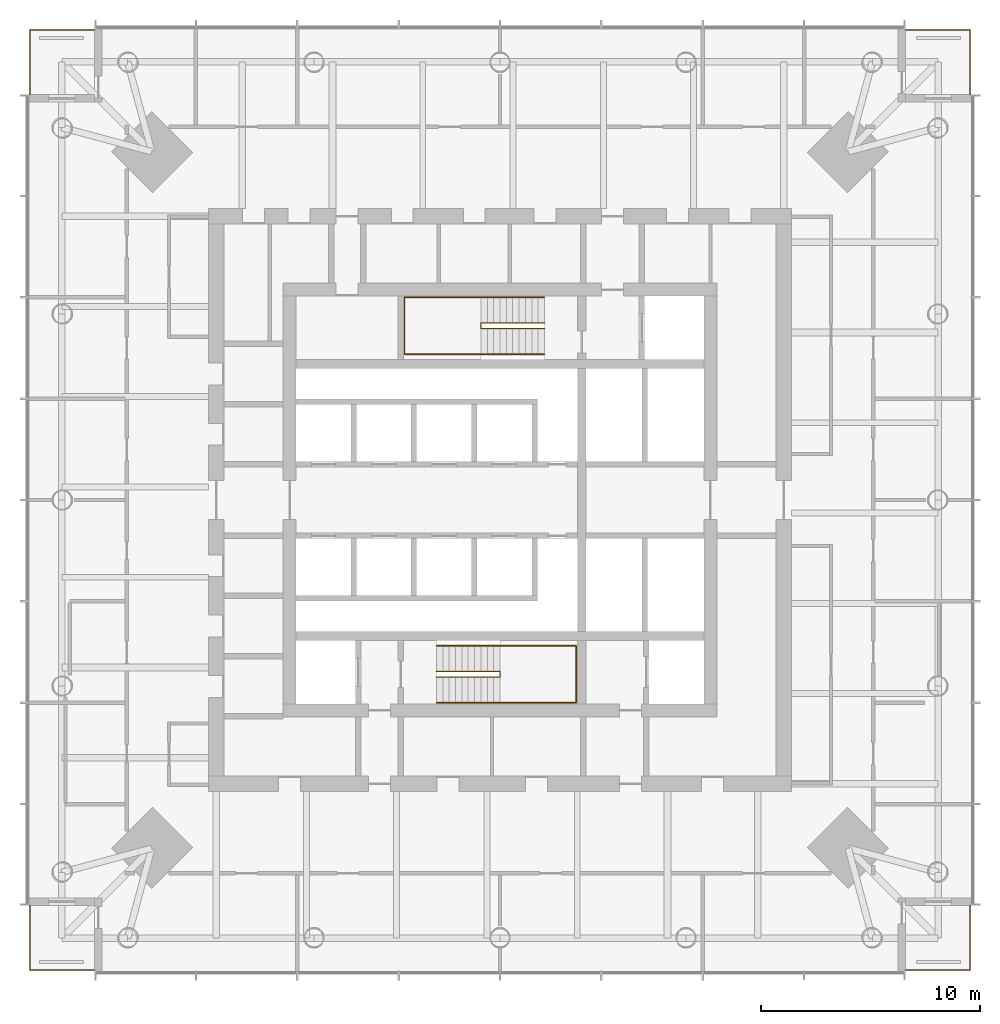
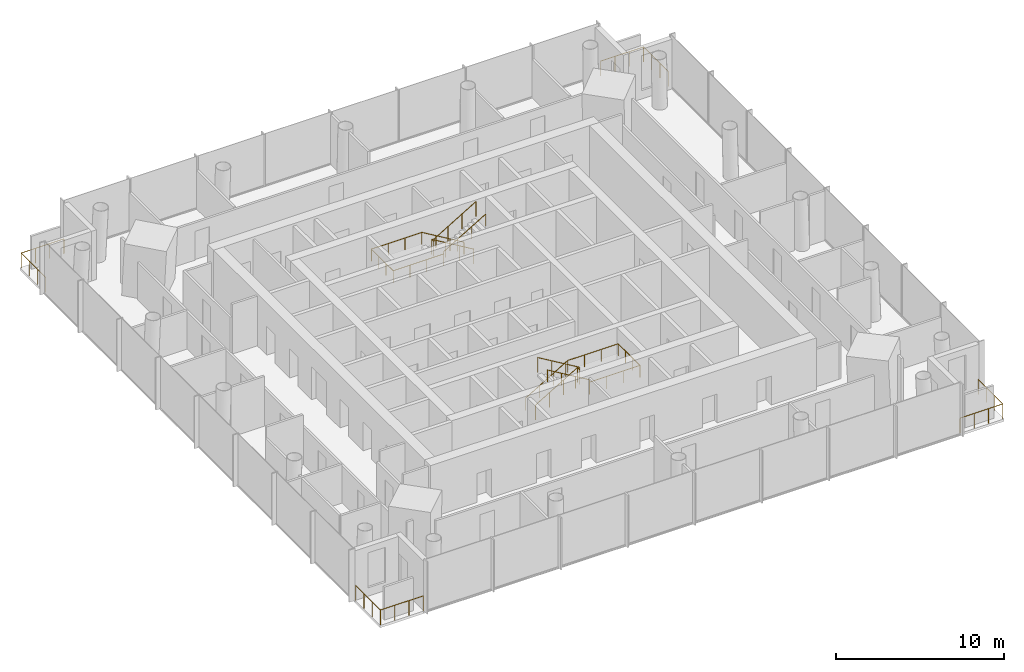
# One storey, part 9 of 9: 8 railings.
"""IFC4 building model written with IfcOpenShell, lengths in metres."""

from ifc_helpers import new_model, si_unit, direction, frame, origin, origin_2d, place, context, subcontext, project, spatial, circle, extrude, material, type_object, element, save


model = new_model("IFC4")

# Units and contexts
model_context = context("Model", 3, precision=1e-05, world=origin(), true_north=direction((0.0, 1.0)))
body_context = subcontext(model_context, "Body", "Model", "MODEL_VIEW")
ifc_project = project(units=[si_unit("LENGTHUNIT", "METRE"), si_unit("AREAUNIT", "SQUARE_METRE"), si_unit("VOLUMEUNIT", "CUBIC_METRE"), si_unit("PLANEANGLEUNIT", "RADIAN"), si_unit("MASSUNIT", "GRAM", prefix="KILO")], contexts=[model_context])

# Site, building, storey
site_placement = place(None, origin())
site = spatial("IfcSite", under=ifc_project, at=site_placement, CompositionType="ELEMENT")
building_placement = place(site_placement, origin())
building = spatial("IfcBuilding", under=site, at=building_placement, Name="Ostroluk Exchange", CompositionType="ELEMENT")
storey_placement = place(building_placement, frame((0.0, 0.0, 146.39990234375)))
storey = spatial("IfcBuildingStorey", under=building, at=storey_placement, Name="L37", CompositionType="ELEMENT", Elevation=146.39990234375)

# Railings
ifc_material_1 = material(Name="Stainless steel", Category="steel")
railing_type_1 = type_object("IfcRailingType", Name="Guard 1100 stainless steel", PredefinedType="GUARDRAIL", material=ifc_material_1)
railing_1_placement = place(storey_placement, frame((63.5, 24.550048828125, 0.0)))
element("IfcRailing", 1, at=railing_1_placement, inside=storey, type_object=railing_type_1, Name="Office tower SE balcony guard L37", PredefinedType="GUARDRAIL", context=body_context, shape_type="SweptSolid", body=[
    extrude(circle(Radius=0.02392578125, at=origin_2d()), frame((0.0, 0.0, 1.076171875), z_axis=(1.0, 0.0, 0.0), x_axis=(0.0, 1.0, 0.0)), (0.0, 0.0, 1.0), 2.949951171875),
    extrude(circle(Radius=0.02392578125, at=origin_2d()), frame((2.949951171875, 0.0, 1.076171875), z_axis=(0.0, 1.0, 0.0), x_axis=(-1.0, 0.0, 0.0)), (0.0, 0.0, 1.0), 2.949951171875),
    extrude(circle(Radius=0.02099609375, at=origin_2d()), origin(), (0.0, 0.0, 1.0), 1.052001953125),
    extrude(circle(Radius=0.02099609375, at=origin_2d()), frame((0.9833984375, 0.0, 0.0)), (0.0, 0.0, 1.0), 1.052001953125),
    extrude(circle(Radius=0.02099609375, at=origin_2d()), frame((1.966552734375, 0.0, 0.0)), (0.0, 0.0, 1.0), 1.052001953125),
    extrude(circle(Radius=0.02099609375, at=origin_2d()), frame((2.949951171875, 0.0, 0.0)), (0.0, 0.0, 1.0), 1.052001953125),
    extrude(circle(Radius=0.02099609375, at=origin_2d()), frame((2.949951171875, 0.9833984375, 0.0)), (0.0, 0.0, 1.0), 1.052001953125),
    extrude(circle(Radius=0.02099609375, at=origin_2d()), frame((2.949951171875, 1.966552734375, 0.0)), (0.0, 0.0, 1.0), 1.052001953125),
    extrude(circle(Radius=0.02099609375, at=origin_2d()), frame((2.949951171875, 2.949951171875, 0.0)), (0.0, 0.0, 1.0), 1.052001953125),
])
railing_2_placement = place(storey_placement, frame((63.5, 67.449951171875, 0.0)))
element("IfcRailing", 2, at=railing_2_placement, inside=storey, type_object=railing_type_1, Name="Office tower NE balcony guard L37", PredefinedType="GUARDRAIL", context=body_context, shape_type="SweptSolid", body=[
    extrude(circle(Radius=0.02392578125, at=origin_2d()), frame((0.0, 0.0, 1.076171875), z_axis=(1.0, 0.0, 0.0), x_axis=(0.0, 1.0, 0.0)), (0.0, 0.0, 1.0), 2.949951171875),
    extrude(circle(Radius=0.02392578125, at=origin_2d()), frame((2.949951171875, 0.0, 1.076171875), z_axis=(0.0, -1.0, 0.0), x_axis=(1.0, 0.0, 0.0)), (0.0, 0.0, 1.0), 2.949951171875),
    extrude(circle(Radius=0.02099609375, at=origin_2d()), origin(), (0.0, 0.0, 1.0), 1.052001953125),
    extrude(circle(Radius=0.02099609375, at=origin_2d()), frame((0.9833984375, 0.0, 0.0)), (0.0, 0.0, 1.0), 1.052001953125),
    extrude(circle(Radius=0.02099609375, at=origin_2d()), frame((1.966552734375, 0.0, 0.0)), (0.0, 0.0, 1.0), 1.052001953125),
    extrude(circle(Radius=0.02099609375, at=origin_2d()), frame((2.949951171875, 0.0, 0.0)), (0.0, 0.0, 1.0), 1.052001953125),
    extrude(circle(Radius=0.02099609375, at=origin_2d()), frame((2.949951171875, -0.9833984375, 0.0)), (0.0, 0.0, 1.0), 1.052001953125),
    extrude(circle(Radius=0.02099609375, at=origin_2d()), frame((2.949951171875, -1.966552734375, 0.0)), (0.0, 0.0, 1.0), 1.052001953125),
    extrude(circle(Radius=0.02099609375, at=origin_2d()), frame((2.949951171875, -2.949951171875, 0.0)), (0.0, 0.0, 1.0), 1.052001953125),
])
railing_3_placement = place(storey_placement, frame((26.5, 67.449951171875, 0.0)))
element("IfcRailing", 3, at=railing_3_placement, inside=storey, type_object=railing_type_1, Name="Office tower NW balcony guard L37", PredefinedType="GUARDRAIL", context=body_context, shape_type="SweptSolid", body=[
    extrude(circle(Radius=0.02392578125, at=origin_2d()), frame((0.0, 0.0, 1.076171875), z_axis=(-1.0, 0.0, 0.0), x_axis=(0.0, -1.0, 0.0)), (0.0, 0.0, 1.0), 2.949951171875),
    extrude(circle(Radius=0.02392578125, at=origin_2d()), frame((-2.949951171875, 0.0, 1.076171875), z_axis=(0.0, -1.0, 0.0), x_axis=(1.0, 0.0, 0.0)), (0.0, 0.0, 1.0), 2.949951171875),
    extrude(circle(Radius=0.02099609375, at=origin_2d()), origin(), (0.0, 0.0, 1.0), 1.052001953125),
    extrude(circle(Radius=0.02099609375, at=origin_2d()), frame((-0.9833984375, 0.0, 0.0)), (0.0, 0.0, 1.0), 1.052001953125),
    extrude(circle(Radius=0.02099609375, at=origin_2d()), frame((-1.966552734375, 0.0, 0.0)), (0.0, 0.0, 1.0), 1.052001953125),
    extrude(circle(Radius=0.02099609375, at=origin_2d()), frame((-2.949951171875, 0.0, 0.0)), (0.0, 0.0, 1.0), 1.052001953125),
    extrude(circle(Radius=0.02099609375, at=origin_2d()), frame((-2.949951171875, -0.9833984375, 0.0)), (0.0, 0.0, 1.0), 1.052001953125),
    extrude(circle(Radius=0.02099609375, at=origin_2d()), frame((-2.949951171875, -1.966552734375, 0.0)), (0.0, 0.0, 1.0), 1.052001953125),
    extrude(circle(Radius=0.02099609375, at=origin_2d()), frame((-2.949951171875, -2.949951171875, 0.0)), (0.0, 0.0, 1.0), 1.052001953125),
])
railing_4_placement = place(storey_placement, frame((26.5, 24.550048828125, 0.0)))
element("IfcRailing", 4, at=railing_4_placement, inside=storey, type_object=railing_type_1, Name="Office tower SW balcony guard L37", PredefinedType="GUARDRAIL", context=body_context, shape_type="SweptSolid", body=[
    extrude(circle(Radius=0.02392578125, at=origin_2d()), frame((0.0, 0.0, 1.076171875), z_axis=(-1.0, 0.0, 0.0), x_axis=(0.0, -1.0, 0.0)), (0.0, 0.0, 1.0), 2.949951171875),
    extrude(circle(Radius=0.02392578125, at=origin_2d()), frame((-2.949951171875, 0.0, 1.076171875), z_axis=(0.0, 1.0, 0.0), x_axis=(-1.0, 0.0, 0.0)), (0.0, 0.0, 1.0), 2.949951171875),
    extrude(circle(Radius=0.02099609375, at=origin_2d()), origin(), (0.0, 0.0, 1.0), 1.052001953125),
    extrude(circle(Radius=0.02099609375, at=origin_2d()), frame((-0.9833984375, 0.0, 0.0)), (0.0, 0.0, 1.0), 1.052001953125),
    extrude(circle(Radius=0.02099609375, at=origin_2d()), frame((-1.966552734375, 0.0, 0.0)), (0.0, 0.0, 1.0), 1.052001953125),
    extrude(circle(Radius=0.02099609375, at=origin_2d()), frame((-2.949951171875, 0.0, 0.0)), (0.0, 0.0, 1.0), 1.052001953125),
    extrude(circle(Radius=0.02099609375, at=origin_2d()), frame((-2.949951171875, 0.9833984375, 0.0)), (0.0, 0.0, 1.0), 1.052001953125),
    extrude(circle(Radius=0.02099609375, at=origin_2d()), frame((-2.949951171875, 1.966552734375, 0.0)), (0.0, 0.0, 1.0), 1.052001953125),
    extrude(circle(Radius=0.02099609375, at=origin_2d()), frame((-2.949951171875, 2.949951171875, 0.0)), (0.0, 0.0, 1.0), 1.052001953125),
])
ifc_material_2 = material(Name="Steel S355", Category="steel")
railing_type_2 = type_object("IfcRailingType", Name="Stair guard 1100", PredefinedType="GUARDRAIL", material=ifc_material_2)
railing_5_placement = place(storey_placement, frame((42.10009765625, 38.179931640625, 0.1728515625)))
element("IfcRailing", 5, at=railing_5_placement, inside=storey, type_object=railing_type_2, Name="Stair T1-S1 guard L37", PredefinedType="GUARDRAIL", context=body_context, shape_type="SweptSolid", body=[
    extrude(circle(Radius=0.02392578125, at=origin_2d()), frame((0.0, 0.0, 1.076171875), z_axis=(0.859141464434, 0.0, 0.511738159696), x_axis=(0.0, 1.0, 0.0)), (0.0, 0.0, 1.0), 3.375244140625),
    extrude(circle(Radius=0.02392578125, at=origin_2d()), frame((2.89990234375, 0.0, 2.80322265625), z_axis=(0.0, -1.0, 0.0), x_axis=(1.0, 0.0, 0.0)), (0.0, 0.0, 1.0), 0.260009765625),
    extrude(circle(Radius=0.02392578125, at=origin_2d()), frame((2.89990234375, -0.260009765625, 2.80322265625), z_axis=(0.0, 0.0, 1.0), x_axis=(1.0, 0.0, 0.0)), (0.0, 0.0, 1.0), 0.172607421875),
    extrude(circle(Radius=0.02392578125, at=origin_2d()), frame((2.89990234375, -0.260009765625, 2.97607421875), z_axis=(-0.859141464434, 0.0, 0.511738159696), x_axis=(0.0, -1.0, 0.0)), (0.0, 0.0, 1.0), 3.375244140625),
    extrude(circle(Radius=0.02099609375, at=origin_2d()), origin(), (0.0, 0.0, 1.0), 1.052001953125),
    extrude(circle(Radius=0.02099609375, at=origin_2d()), frame((0.966552734375, 0.0, 0.57568359375)), (0.0, 0.0, 1.0), 1.052001953125),
    extrude(circle(Radius=0.02099609375, at=origin_2d()), frame((1.933349609375, 0.0, 1.151611328125)), (0.0, 0.0, 1.0), 1.052001953125),
    extrude(circle(Radius=0.02099609375, at=origin_2d()), frame((2.89990234375, 0.0, 1.727294921875)), (0.0, 0.0, 1.0), 1.052001953125),
    extrude(circle(Radius=0.02099609375, at=origin_2d()), frame((2.89990234375, -0.260009765625, 1.727294921875)), (0.0, 0.0, 1.0), 1.052001953125),
    extrude(circle(Radius=0.02099609375, at=origin_2d()), frame((2.89990234375, -0.260009765625, 1.89990234375)), (0.0, 0.0, 1.0), 1.052001953125),
    extrude(circle(Radius=0.02099609375, at=origin_2d()), frame((1.933349609375, -0.260009765625, 2.4755859375)), (0.0, 0.0, 1.0), 1.052001953125),
    extrude(circle(Radius=0.02099609375, at=origin_2d()), frame((0.966552734375, -0.260009765625, 3.051513671875)), (0.0, 0.0, 1.0), 1.052001953125),
    extrude(circle(Radius=0.02099609375, at=origin_2d()), frame((0.0, -0.260009765625, 3.627197265625)), (0.0, 0.0, 1.0), 1.052001953125),
])
railing_6_placement = place(storey_placement, frame((47.030029296875, 54.080078125, 0.1728515625)))
element("IfcRailing", 6, at=railing_6_placement, inside=storey, type_object=railing_type_2, Name="Stair T1-S2 guard L37", PredefinedType="GUARDRAIL", context=body_context, shape_type="SweptSolid", body=[
    extrude(circle(Radius=0.02392578125, at=origin_2d()), frame((0.0, 0.0, 1.076171875), z_axis=(-0.859160404282, 0.0, 0.51170636083), x_axis=(0.0, -1.0, 0.0)), (0.0, 0.0, 1.0), 3.37548828125),
    extrude(circle(Radius=0.02392578125, at=origin_2d()), frame((-2.900146484375, 0.0, 2.80322265625), z_axis=(0.0, -1.0, 0.0), x_axis=(1.0, 0.0, 0.0)), (0.0, 0.0, 1.0), 0.260009765625),
    extrude(circle(Radius=0.02392578125, at=origin_2d()), frame((-2.900146484375, -0.260009765625, 2.80322265625), z_axis=(0.0, 0.0, 1.0), x_axis=(1.0, 0.0, 0.0)), (0.0, 0.0, 1.0), 0.172607421875),
    extrude(circle(Radius=0.02392578125, at=origin_2d()), frame((-2.900146484375, -0.260009765625, 2.97607421875), z_axis=(0.859160404282, 0.0, 0.51170636083), x_axis=(0.0, 1.0, 0.0)), (0.0, 0.0, 1.0), 3.37548828125),
    extrude(circle(Radius=0.02099609375, at=origin_2d()), origin(), (0.0, 0.0, 1.0), 1.052001953125),
    extrude(circle(Radius=0.02099609375, at=origin_2d()), frame((-0.966796875, 0.0, 0.57568359375)), (0.0, 0.0, 1.0), 1.052001953125),
    extrude(circle(Radius=0.02099609375, at=origin_2d()), frame((-1.933349609375, 0.0, 1.151611328125)), (0.0, 0.0, 1.0), 1.052001953125),
    extrude(circle(Radius=0.02099609375, at=origin_2d()), frame((-2.900146484375, 0.0, 1.727294921875)), (0.0, 0.0, 1.0), 1.052001953125),
    extrude(circle(Radius=0.02099609375, at=origin_2d()), frame((-2.900146484375, -0.260009765625, 1.727294921875)), (0.0, 0.0, 1.0), 1.052001953125),
    extrude(circle(Radius=0.02099609375, at=origin_2d()), frame((-2.900146484375, -0.260009765625, 1.89990234375)), (0.0, 0.0, 1.0), 1.052001953125),
    extrude(circle(Radius=0.02099609375, at=origin_2d()), frame((-1.933349609375, -0.260009765625, 2.4755859375)), (0.0, 0.0, 1.0), 1.052001953125),
    extrude(circle(Radius=0.02099609375, at=origin_2d()), frame((-0.966796875, -0.260009765625, 3.051513671875)), (0.0, 0.0, 1.0), 1.052001953125),
    extrude(circle(Radius=0.02099609375, at=origin_2d()), frame((0.0, -0.260009765625, 3.627197265625)), (0.0, 0.0, 1.0), 1.052001953125),
])
ifc_material_3 = material(Name="Stainless steel", Category="steel")
railing_type_3 = type_object("IfcRailingType", Name="Stair handrail 900", PredefinedType="HANDRAIL", material=ifc_material_3)
railing_7_placement = place(storey_placement, frame((42.10009765625, 39.35009765625, 0.1728515625)))
element("IfcRailing", 7, at=railing_7_placement, inside=storey, type_object=railing_type_3, Name="Stair T1-S1 handrail L37", PredefinedType="HANDRAIL", context=body_context, shape_type="SweptSolid", body=[
    extrude(circle(Radius=0.02392578125, at=origin_2d()), frame((0.0, 0.0, 0.8759765625), z_axis=(0.859141464434, 0.0, 0.511738159696), x_axis=(0.0, 1.0, 0.0)), (0.0, 0.0, 1.0), 3.375244140625),
    extrude(circle(Radius=0.02392578125, at=origin_2d()), frame((2.89990234375, 0.0, 2.60302734375), z_axis=(1.0, 0.0, 0.0), x_axis=(0.0, 1.0, 0.0)), (0.0, 0.0, 1.0), 3.47998046875),
    extrude(circle(Radius=0.02392578125, at=origin_2d()), frame((6.3798828125, 0.0, 2.60302734375), z_axis=(0.0, -1.0, 0.0), x_axis=(1.0, 0.0, 0.0)), (0.0, 0.0, 1.0), 2.60009765625),
    extrude(circle(Radius=0.02392578125, at=origin_2d()), frame((6.3798828125, -2.60009765625, 2.60302734375), z_axis=(-1.0, 0.0, 0.0), x_axis=(0.0, -1.0, 0.0)), (0.0, 0.0, 1.0), 3.47998046875),
    extrude(circle(Radius=0.02392578125, at=origin_2d()), frame((2.89990234375, -2.60009765625, 2.60302734375), z_axis=(0.0, 0.0, 1.0), x_axis=(1.0, 0.0, 0.0)), (0.0, 0.0, 1.0), 0.172607421875),
    extrude(circle(Radius=0.02392578125, at=origin_2d()), frame((2.89990234375, -2.60009765625, 2.77587890625), z_axis=(-0.859141464434, 0.0, 0.511738159696), x_axis=(0.0, -1.0, 0.0)), (0.0, 0.0, 1.0), 3.375244140625),
    extrude(circle(Radius=0.02099609375, at=origin_2d()), origin(), (0.0, 0.0, 1.0), 0.851806640625),
    extrude(circle(Radius=0.02099609375, at=origin_2d()), frame((0.966552734375, 0.0, 0.57568359375)), (0.0, 0.0, 1.0), 0.851806640625),
    extrude(circle(Radius=0.02099609375, at=origin_2d()), frame((1.933349609375, 0.0, 1.151611328125)), (0.0, 0.0, 1.0), 0.851806640625),
    extrude(circle(Radius=0.02099609375, at=origin_2d()), frame((2.89990234375, 0.0, 1.727294921875)), (0.0, 0.0, 1.0), 0.851806640625),
    extrude(circle(Radius=0.02099609375, at=origin_2d()), frame((4.059814453125, 0.0, 1.727294921875)), (0.0, 0.0, 1.0), 0.851806640625),
    extrude(circle(Radius=0.02099609375, at=origin_2d()), frame((5.219970703125, 0.0, 1.727294921875)), (0.0, 0.0, 1.0), 0.851806640625),
    extrude(circle(Radius=0.02099609375, at=origin_2d()), frame((6.3798828125, 0.0, 1.727294921875)), (0.0, 0.0, 1.0), 0.851806640625),
    extrude(circle(Radius=0.02099609375, at=origin_2d()), frame((6.3798828125, -0.86669921875, 1.727294921875)), (0.0, 0.0, 1.0), 0.851806640625),
    extrude(circle(Radius=0.02099609375, at=origin_2d()), frame((6.3798828125, -1.7333984375, 1.727294921875)), (0.0, 0.0, 1.0), 0.851806640625),
    extrude(circle(Radius=0.02099609375, at=origin_2d()), frame((6.3798828125, -2.60009765625, 1.727294921875)), (0.0, 0.0, 1.0), 0.851806640625),
    extrude(circle(Radius=0.02099609375, at=origin_2d()), frame((5.219970703125, -2.60009765625, 1.727294921875)), (0.0, 0.0, 1.0), 0.851806640625),
    extrude(circle(Radius=0.02099609375, at=origin_2d()), frame((4.059814453125, -2.60009765625, 1.727294921875)), (0.0, 0.0, 1.0), 0.851806640625),
    extrude(circle(Radius=0.02099609375, at=origin_2d()), frame((2.89990234375, -2.60009765625, 1.727294921875)), (0.0, 0.0, 1.0), 0.851806640625),
    extrude(circle(Radius=0.02099609375, at=origin_2d()), frame((2.89990234375, -2.60009765625, 1.89990234375)), (0.0, 0.0, 1.0), 0.851806640625),
    extrude(circle(Radius=0.02099609375, at=origin_2d()), frame((1.933349609375, -2.60009765625, 2.4755859375)), (0.0, 0.0, 1.0), 0.851806640625),
    extrude(circle(Radius=0.02099609375, at=origin_2d()), frame((0.966552734375, -2.60009765625, 3.051513671875)), (0.0, 0.0, 1.0), 0.851806640625),
    extrude(circle(Radius=0.02099609375, at=origin_2d()), frame((0.0, -2.60009765625, 3.627197265625)), (0.0, 0.0, 1.0), 0.851806640625),
])
railing_8_placement = place(storey_placement, frame((47.030029296875, 55.25, 0.1728515625)))
element("IfcRailing", 8, at=railing_8_placement, inside=storey, type_object=railing_type_3, Name="Stair T1-S2 handrail L37", PredefinedType="HANDRAIL", context=body_context, shape_type="SweptSolid", body=[
    extrude(circle(Radius=0.02392578125, at=origin_2d()), frame((0.0, 0.0, 0.8759765625), z_axis=(-0.859160404282, 0.0, 0.51170636083), x_axis=(0.0, -1.0, 0.0)), (0.0, 0.0, 1.0), 3.37548828125),
    extrude(circle(Radius=0.02392578125, at=origin_2d()), frame((-2.900146484375, 0.0, 2.60302734375), z_axis=(-1.0, 0.0, 0.0), x_axis=(0.0, -1.0, 0.0)), (0.0, 0.0, 1.0), 3.47998046875),
    extrude(circle(Radius=0.02392578125, at=origin_2d()), frame((-6.380126953125, 0.0, 2.60302734375), z_axis=(0.0, -1.0, 0.0), x_axis=(1.0, 0.0, 0.0)), (0.0, 0.0, 1.0), 2.60009765625),
    extrude(circle(Radius=0.02392578125, at=origin_2d()), frame((-6.380126953125, -2.60009765625, 2.60302734375), z_axis=(1.0, 0.0, 0.0), x_axis=(0.0, 1.0, 0.0)), (0.0, 0.0, 1.0), 3.47998046875),
    extrude(circle(Radius=0.02392578125, at=origin_2d()), frame((-2.900146484375, -2.60009765625, 2.60302734375), z_axis=(0.0, 0.0, 1.0), x_axis=(1.0, 0.0, 0.0)), (0.0, 0.0, 1.0), 0.172607421875),
    extrude(circle(Radius=0.02392578125, at=origin_2d()), frame((-2.900146484375, -2.60009765625, 2.77587890625), z_axis=(0.859160404282, 0.0, 0.51170636083), x_axis=(0.0, 1.0, 0.0)), (0.0, 0.0, 1.0), 3.37548828125),
    extrude(circle(Radius=0.02099609375, at=origin_2d()), origin(), (0.0, 0.0, 1.0), 0.851806640625),
    extrude(circle(Radius=0.02099609375, at=origin_2d()), frame((-0.966796875, 0.0, 0.57568359375)), (0.0, 0.0, 1.0), 0.851806640625),
    extrude(circle(Radius=0.02099609375, at=origin_2d()), frame((-1.933349609375, 0.0, 1.151611328125)), (0.0, 0.0, 1.0), 0.851806640625),
    extrude(circle(Radius=0.02099609375, at=origin_2d()), frame((-2.900146484375, 0.0, 1.727294921875)), (0.0, 0.0, 1.0), 0.851806640625),
    extrude(circle(Radius=0.02099609375, at=origin_2d()), frame((-4.06005859375, 0.0, 1.727294921875)), (0.0, 0.0, 1.0), 0.851806640625),
    extrude(circle(Radius=0.02099609375, at=origin_2d()), frame((-5.22021484375, 0.0, 1.727294921875)), (0.0, 0.0, 1.0), 0.851806640625),
    extrude(circle(Radius=0.02099609375, at=origin_2d()), frame((-6.380126953125, 0.0, 1.727294921875)), (0.0, 0.0, 1.0), 0.851806640625),
    extrude(circle(Radius=0.02099609375, at=origin_2d()), frame((-6.380126953125, -0.86669921875, 1.727294921875)), (0.0, 0.0, 1.0), 0.851806640625),
    extrude(circle(Radius=0.02099609375, at=origin_2d()), frame((-6.380126953125, -1.7333984375, 1.727294921875)), (0.0, 0.0, 1.0), 0.851806640625),
    extrude(circle(Radius=0.02099609375, at=origin_2d()), frame((-6.380126953125, -2.60009765625, 1.727294921875)), (0.0, 0.0, 1.0), 0.851806640625),
    extrude(circle(Radius=0.02099609375, at=origin_2d()), frame((-5.22021484375, -2.60009765625, 1.727294921875)), (0.0, 0.0, 1.0), 0.851806640625),
    extrude(circle(Radius=0.02099609375, at=origin_2d()), frame((-4.06005859375, -2.60009765625, 1.727294921875)), (0.0, 0.0, 1.0), 0.851806640625),
    extrude(circle(Radius=0.02099609375, at=origin_2d()), frame((-2.900146484375, -2.60009765625, 1.727294921875)), (0.0, 0.0, 1.0), 0.851806640625),
    extrude(circle(Radius=0.02099609375, at=origin_2d()), frame((-2.900146484375, -2.60009765625, 1.89990234375)), (0.0, 0.0, 1.0), 0.851806640625),
    extrude(circle(Radius=0.02099609375, at=origin_2d()), frame((-1.933349609375, -2.60009765625, 2.4755859375)), (0.0, 0.0, 1.0), 0.851806640625),
    extrude(circle(Radius=0.02099609375, at=origin_2d()), frame((-0.966796875, -2.60009765625, 3.051513671875)), (0.0, 0.0, 1.0), 0.851806640625),
    extrude(circle(Radius=0.02099609375, at=origin_2d()), frame((0.0, -2.60009765625, 3.627197265625)), (0.0, 0.0, 1.0), 0.851806640625),
])

save(model, "model.ifc")
